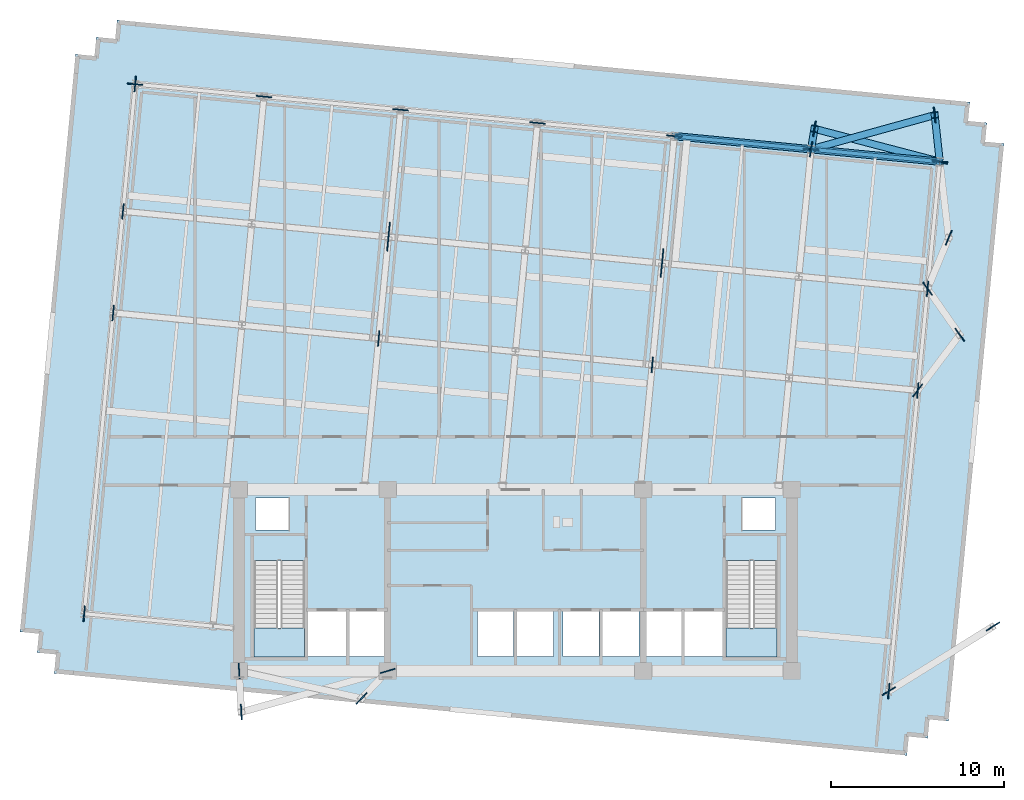
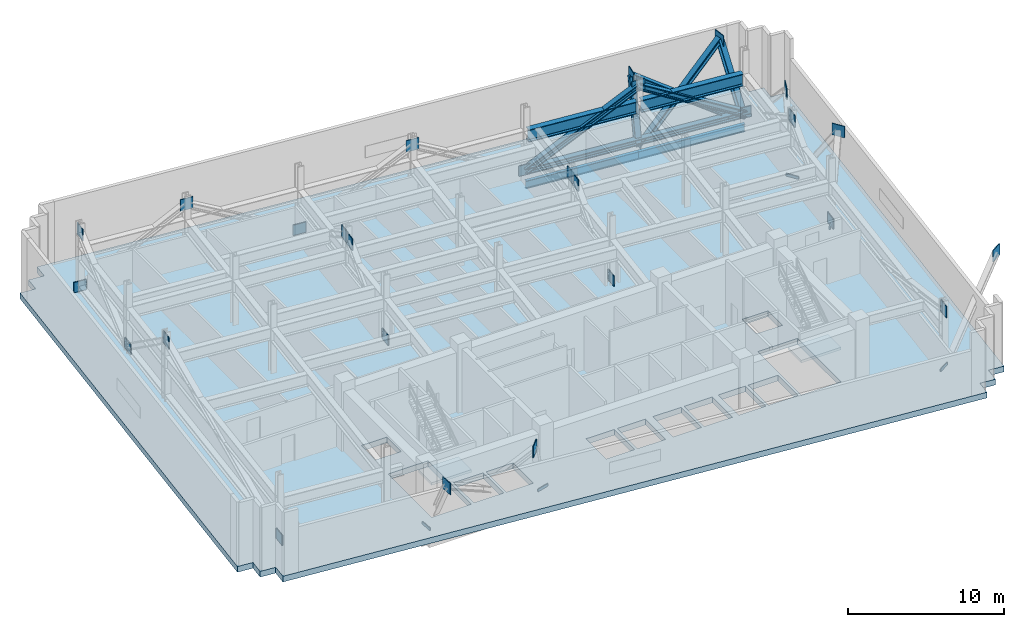
# One storey, part 4 of 10: 34 plates, 8 members, 4 beams, 3 slabs, 2 elements without a shape of their own.
"""IFC4 building model written with IfcOpenShell, lengths in metres."""

from ifc_helpers import new_model, si_unit, direction, frame, origin, origin_2d, place, context, subcontext, project, spatial, polyline, rectangle, i_section, outline, extrude, material, layer, layer_set, material_profile, profile_set, type_object, element, aggregate, save


model = new_model("IFC4")

# Units and contexts
model_context = context("Model", 3, precision=1e-05, world=origin(), true_north=direction((0.0, 1.0)))
body_context = subcontext(model_context, "Body", "Model", "MODEL_VIEW")
ifc_project = project(units=[si_unit("LENGTHUNIT", "METRE"), si_unit("AREAUNIT", "SQUARE_METRE"), si_unit("VOLUMEUNIT", "CUBIC_METRE"), si_unit("PLANEANGLEUNIT", "RADIAN"), si_unit("MASSUNIT", "GRAM", prefix="KILO")], contexts=[model_context])

# Site, building, storey
site_placement = place(None, origin())
site = spatial("IfcSite", under=ifc_project, at=site_placement, CompositionType="ELEMENT")
building_placement = place(site_placement, origin())
building = spatial("IfcBuilding", under=site, at=building_placement, Name="Solmavex Isthmus Hotel", CompositionType="ELEMENT")
storey_placement = place(building_placement, frame((0.0, 0.0, 186.300048828125)))
storey = spatial("IfcBuildingStorey", under=building, at=storey_placement, Name="L50", CompositionType="ELEMENT", Elevation=186.300048828125)

# Beams
ifc_material_1 = material(Name="Steel ASTM A992 Grade 50", Category="steel")
ifc_material_profile_1 = material_profile(ifc_material_1, i_section(OverallWidth=0.230224609375, OverallDepth=0.617431640625, WebThickness=0.01318359375, FlangeThickness=0.022216796875, FilletRadius=0.01513671875, at=origin_2d()), Name="W24X94")
ifc_profile_set_1 = profile_set([ifc_material_profile_1], Name="Steel ASTM A992 Grade 50")
beam_type_1 = type_object("IfcBeamType", Name="BM-SP-W24X94", PredefinedType="SPANDREL", material=ifc_profile_set_1)
beam_1_placement = place(storey_placement, frame((9.1953125, 17.966552734375, -0.7587890625), z_axis=(0.995397440011, -0.095832856685, 0.0), x_axis=(0.095832856685, 0.995397440011, 0.0)))
element("IfcBeam", 1, at=beam_1_placement, inside=storey, type_object=beam_type_1, Name="Floor Girder L50-UG19", PredefinedType="SPANDREL", context=body_context, shape_type="SweptSolid", body=[
    extrude(i_section(OverallWidth=0.230224609375, OverallDepth=0.617431640625, WebThickness=0.01318359375, FlangeThickness=0.022216796875, FilletRadius=0.01513671875, at=origin_2d()), origin(), (0.0, 0.0, 1.0), 7.9560546875),
])
beam_2_placement = place(storey_placement, frame((17.11474609375, 17.2041015625, -0.7587890625), z_axis=(0.995395279593, -0.095855293875, 0.0), x_axis=(0.095855293875, 0.995395279593, 0.0)))
element("IfcBeam", 2, at=beam_2_placement, inside=storey, type_object=beam_type_1, Name="Floor Girder L50-UG20", PredefinedType="SPANDREL", context=body_context, shape_type="SweptSolid", body=[
    extrude(i_section(OverallWidth=0.230224609375, OverallDepth=0.617431640625, WebThickness=0.01318359375, FlangeThickness=0.022216796875, FilletRadius=0.01513671875, at=origin_2d()), origin(), (0.0, 0.0, 1.0), 7.488037109375),
])
ifc_material_2 = material(Name="Steel ASTM A913 Grade 65", Category="steel")
ifc_material_profile_2 = material_profile(ifc_material_2, i_section(OverallWidth=0.423095703125, OverallDepth=0.93896484375, WebThickness=0.02392578125, FlangeThickness=0.042724609375, FilletRadius=0.024169921875, at=origin_2d()), Name="W36X302")
ifc_profile_set_2 = profile_set([ifc_material_profile_2], Name="Steel ASTM A913 Grade 65")
beam_type_2 = type_object("IfcBeamType", Name="BM-TB-W36X302", PredefinedType="BEAM", material=ifc_profile_set_2)
beam_3_placement = place(storey_placement, frame((9.349609375, 17.95166015625, 3.100341796875), z_axis=(0.995395329488, -0.095854775747, 0.0), x_axis=(0.095854775747, 0.995395329488, 0.0)))
element("IfcBeam", 3, at=beam_3_placement, inside=storey, type_object=beam_type_2, Name="Horizontal Outrigger Collector Girder L50-XLC40", PredefinedType="BEAM", context=body_context, shape_type="SweptSolid", body=[
    extrude(i_section(OverallWidth=0.423095703125, OverallDepth=0.93896484375, WebThickness=0.02392578125, FlangeThickness=0.042724609375, FilletRadius=0.024169921875, at=origin_2d()), origin(), (0.0, 0.0, 1.0), 7.64599609375),
])
beam_4_placement = place(storey_placement, frame((17.26904296875, 17.189208984375, 3.100341796875), z_axis=(0.995396183066, -0.095845911429, 0.0), x_axis=(0.095845911429, 0.995396183066, 0.0)))
element("IfcBeam", 4, at=beam_4_placement, inside=storey, type_object=beam_type_2, Name="Horizontal Outrigger Collector Girder L50-XLC41", PredefinedType="BEAM", context=body_context, shape_type="SweptSolid", body=[
    extrude(i_section(OverallWidth=0.423095703125, OverallDepth=0.93896484375, WebThickness=0.02392578125, FlangeThickness=0.042724609375, FilletRadius=0.024169921875, at=origin_2d()), origin(), (0.0, 0.0, 1.0), 7.177978515625),
])

# Members
ifc_material_profile_3 = material_profile(ifc_material_2, i_section(OverallWidth=0.412109375, OverallDepth=0.434814453125, WebThickness=0.035888671875, FlangeThickness=0.057373046875, FilletRadius=0.030517578125, at=origin_2d()), Name="W14X311")
ifc_profile_set_3 = profile_set([ifc_material_profile_3], Name="Steel ASTM A913 Grade 65")
member_type_1 = type_object("IfcMemberType", Name="MEM-TC-W14X311", PredefinedType="CHORD", material=ifc_profile_set_3)
member_1_placement = place(storey_placement, frame((9.1953125, 17.966552734375, 0.349853515625), z_axis=(0.995397440011, -0.095832856685, 0.0), x_axis=(0.095832856685, 0.995397440011, 0.0)))
element("IfcMember", 5, at=member_1_placement, inside=storey, type_object=member_type_1, Name="Outrigger and Belt Transfer Truss Bottom Chord BT-L50-N-05", PredefinedType="CHORD", context=body_context, shape_type="SweptSolid", body=[
    extrude(i_section(OverallWidth=0.412109375, OverallDepth=0.434814453125, WebThickness=0.035888671875, FlangeThickness=0.057373046875, FilletRadius=0.030517578125, at=origin_2d()), origin(), (0.0, 0.0, 1.0), 7.9560546875),
])
member_2_placement = place(storey_placement, frame((17.11474609375, 17.2041015625, 0.349853515625), z_axis=(0.995395279593, -0.095855293875, 0.0), x_axis=(0.095855293875, 0.995395279593, 0.0)))
element("IfcMember", 6, at=member_2_placement, inside=storey, type_object=member_type_1, Name="Outrigger and Belt Transfer Truss Bottom Chord BT-L50-N-06", PredefinedType="CHORD", context=body_context, shape_type="SweptSolid", body=[
    extrude(i_section(OverallWidth=0.412109375, OverallDepth=0.434814453125, WebThickness=0.035888671875, FlangeThickness=0.057373046875, FilletRadius=0.030517578125, at=origin_2d()), origin(), (0.0, 0.0, 1.0), 7.488037109375),
])
ifc_material_profile_4 = material_profile(ifc_material_2, i_section(OverallWidth=0.40625, OverallDepth=0.416015625, WebThickness=0.02978515625, FlangeThickness=0.048095703125, FilletRadius=0.030517578125, at=origin_2d()), Name="W14X257")
ifc_profile_set_4 = profile_set([ifc_material_profile_4], Name="Steel ASTM A913 Grade 65")
member_type_2 = type_object("IfcMemberType", Name="MEM-TM-W14X257", PredefinedType="BRACE", material=ifc_profile_set_4)
member_3_placement = place(storey_placement, frame((17.11474609375, 17.2041015625, -0.25), z_axis=(0.038616033562, 0.235083572737, 0.971207761389), x_axis=(-0.986775517275, 0.162092808313, 0.0)))
element("IfcMember", 7, at=member_3_placement, inside=storey, type_object=member_type_2, Name="Perimeter Facade Transfer Bracket L50-FBR05", PredefinedType="BRACE", context=body_context, shape_type="SweptSolid", body=[
    extrude(i_section(OverallWidth=0.40625, OverallDepth=0.416015625, WebThickness=0.02978515625, FlangeThickness=0.048095703125, FilletRadius=0.030517578125, at=origin_2d()), origin(), (0.0, 0.0, 1.0), 5.045166015625),
])
member_4_placement = place(storey_placement, frame((24.568359375, 16.486328125, -0.25), z_axis=(-0.809921135244, 0.212423147203, 0.546721282939), x_axis=(-0.253695722185, -0.967284074378, 0.0)))
element("IfcMember", 8, at=member_4_placement, inside=storey, type_object=member_type_2, Name="Perimeter Facade Transfer Bracket L50-FBR06", PredefinedType="BRACE", context=body_context, shape_type="SweptSolid", body=[
    extrude(i_section(OverallWidth=0.40625, OverallDepth=0.416015625, WebThickness=0.02978515625, FlangeThickness=0.048095703125, FilletRadius=0.030517578125, at=origin_2d()), origin(), (0.0, 0.0, 1.0), 8.96240234375),
])
member_5_placement = place(storey_placement, frame((24.568359375, 16.486328125, -0.25), z_axis=(-0.052830143102, 0.481530190471, 0.87483578553), x_axis=(-0.994035317715, -0.109058640814, 0.0)))
element("IfcMember", 9, at=member_5_placement, inside=storey, type_object=member_type_2, Name="Perimeter Facade Transfer Bracket L50-FBR12", PredefinedType="BRACE", context=body_context, shape_type="SweptSolid", body=[
    extrude(i_section(OverallWidth=0.40625, OverallDepth=0.416015625, WebThickness=0.02978515625, FlangeThickness=0.048095703125, FilletRadius=0.030517578125, at=origin_2d()), origin(), (0.0, 0.0, 1.0), 5.600830078125),
])
member_6_placement = place(storey_placement, frame((17.11474609375, 17.2041015625, -0.25), z_axis=(0.804494889138, 0.222458560142, 0.550726939935), x_axis=(-0.266517829207, 0.963829988491, 0.0)))
element("IfcMember", 10, at=member_6_placement, inside=storey, type_object=member_type_2, Name="Perimeter Facade Transfer Bracket L50-FBR13", PredefinedType="BRACE", context=body_context, shape_type="SweptSolid", body=[
    extrude(i_section(OverallWidth=0.40625, OverallDepth=0.416015625, WebThickness=0.02978515625, FlangeThickness=0.048095703125, FilletRadius=0.030517578125, at=origin_2d()), origin(), (0.0, 0.0, 1.0), 8.897216796875),
])
ifc_material_profile_5 = material_profile(ifc_material_2, i_section(OverallWidth=0.41845703125, OverallDepth=0.455078125, WebThickness=0.0419921875, FlangeThickness=0.067626953125, FilletRadius=0.030517578125, at=origin_2d()), Name="W14X370")
ifc_profile_set_5 = profile_set([ifc_material_profile_5], Name="Steel ASTM A913 Grade 65")
member_type_3 = type_object("IfcMemberType", Name="MEM-TM-W14X370", PredefinedType="BRACE", material=ifc_profile_set_5)
member_7_placement = place(storey_placement, frame((9.1953125, 17.966552734375, 0.349853515625), z_axis=(0.875681538947, -0.084307091872, 0.475472561362), x_axis=(0.095832856685, 0.995397440011, 0.0)))
element("IfcMember", 11, at=member_7_placement, inside=storey, type_object=member_type_3, Name="Outrigger and Belt Transfer Truss Diagonal Brace BT-L50-N-05", PredefinedType="BRACE", context=body_context, shape_type="SweptSolid", body=[
    extrude(i_section(OverallWidth=0.41845703125, OverallDepth=0.455078125, WebThickness=0.0419921875, FlangeThickness=0.067626953125, FilletRadius=0.030517578125, at=origin_2d()), origin(), (0.0, 0.0, 1.0), 9.043701171875),
])
member_8_placement = place(storey_placement, frame((17.11474609375, 17.2041015625, 4.64990234375), z_axis=(0.863193518277, -0.083124433139, -0.497983211183), x_axis=(0.095855293875, 0.995395279593, 0.0)))
element("IfcMember", 12, at=member_8_placement, inside=storey, type_object=member_type_3, Name="Outrigger and Belt Transfer Truss Diagonal Brace BT-L50-N-06", PredefinedType="BRACE", context=body_context, shape_type="SweptSolid", body=[
    extrude(i_section(OverallWidth=0.41845703125, OverallDepth=0.455078125, WebThickness=0.0419921875, FlangeThickness=0.067626953125, FilletRadius=0.030517578125, at=origin_2d()), origin(), (0.0, 0.0, 1.0), 8.635009765625),
])

# Plates
ifc_material_3 = material(Name="Steel ASTM A572 Grade 50", Category="steel")
ifc_layer_1 = layer(ifc_material_3, 0.06005859375)
ifc_layer_set_1 = layer_set([ifc_layer_1], Name="Steel ASTM A572 Grade 50")
plate_type = type_object("IfcPlateType", Name="PLT-GUSSET-60", PredefinedType="USERDEFINED", material=ifc_layer_set_1)
for number, where, z_axis, x_axis, name in (
    (13, (-16.0, -13.0, -0.699951171875), (0.0, 0.0, 1.0), (0.053416546541, -0.998572317139, 0.0), "Perimeter Bracket Gusset Plate L50 001"),
    (14, (-15.87255859375, -15.38330078125, 4.199951171875), (0.0, 0.0, 1.0), (0.053416546541, -0.998572317139, 0.0), "Perimeter Bracket Gusset Plate L50 002"),
    (15, (-7.39990234375, -13.0, -0.699951171875), (0.0, 0.0, 1.0), (-0.962635050888, -0.270802065727, 0.0), "Perimeter Bracket Gusset Plate L50 003"),
    (16, (-8.909423828125, -14.590087890625, 4.199951171875), (0.0, 0.0, 1.0), (-0.688506482648, -0.725230186459, 0.0), "Perimeter Bracket Gusset Plate L50 004"),
    (17, (17.11474609375, 17.2041015625, -0.699951171875), (0.0, 0.0, 1.0), (0.162051625368, 0.986782281314, 0.0), "Perimeter Bracket Gusset Plate L50 005"),
    (18, (17.3095703125, 18.39013671875, 4.199951171875), (0.0, 0.0, 1.0), (0.162051625368, 0.986782281314, 0.0), "Perimeter Bracket Gusset Plate L50 006"),
    (19, (24.568359375, 16.486328125, -0.699951171875), (0.0, 0.0, 1.0), (-0.967285466065, 0.253690415938, 0.0), "Perimeter Bracket Gusset Plate L50 007"),
    (20, (21.6162109375, -14.171875, -0.699951171875), (0.0, 0.0, 1.0), (0.849368037025, 0.527801039862, 0.0), "Perimeter Bracket Gusset Plate L50 008"),
    (21, (27.64599609375, -10.425048828125, 4.199951171875), (0.0, 0.0, 1.0), (0.849368037025, 0.527801039862, 0.0), "Perimeter Bracket Gusset Plate L50 009"),
    (22, (23.85986328125, 9.12841796875, -0.699951171875), (0.0, 0.0, 1.0), (0.573004420611, -0.819552276527, 0.0), "Perimeter Bracket Gusset Plate L50 010"),
    (23, (25.721435546875, 6.465576171875, 4.199951171875), (0.0, 0.0, 1.0), (0.573004420611, -0.819552276527, 0.0), "Perimeter Bracket Gusset Plate L50 011"),
    (24, (23.29345703125, 3.24755859375, -0.699951171875), (0.0, 0.0, 1.0), (0.60227490434, 0.798288757031, 0.0), "Perimeter Bracket Gusset Plate L50 012"),
    (25, (25.08203125, 12.077392578125, 4.199951171875), (0.0, 0.0, 1.0), (0.382893044129, 0.923792680615, 0.0), "Perimeter Bracket Gusset Plate L50 013"),
    (26, (24.2724609375, 19.183349609375, 4.199951171875), (0.0, 0.0, 1.0), (-0.109023019513, 0.99403922519, 0.0), "Perimeter Bracket Gusset Plate L50 014"),
    (27, (-22.016357421875, 20.971923828125, -0.10009765625), (0.0, 0.0, 1.0), (0.995396198367, -0.09584575252, 0.0), "Outrigger and Belt Transfer Truss Node Gusset Plate L50 001"),
    (28, (-14.562744140625, 20.254150390625, 4.199951171875), (0.0, 0.0, 1.0), (0.995396198367, -0.09584575252, 0.0), "Outrigger and Belt Transfer Truss Node Gusset Plate L50 002"),
    (29, (-6.643310546875, 19.49169921875, -0.10009765625), (0.0, 0.0, 1.0), (0.995396198367, -0.09584575252, 0.0), "Outrigger and Belt Transfer Truss Node Gusset Plate L50 003"),
    (30, (1.276123046875, 18.72900390625, 4.199951171875), (0.0, 0.0, 1.0), (0.995396198367, -0.09584575252, 0.0), "Outrigger and Belt Transfer Truss Node Gusset Plate L50 004"),
    (31, (9.1953125, 17.966552734375, -0.10009765625), (0.0, 0.0, 1.0), (0.995396198367, -0.09584575252, 0.0), "Outrigger and Belt Transfer Truss Node Gusset Plate L50 005"),
    (32, (17.11474609375, 17.2041015625, 4.199951171875), (0.0, 0.0, 1.0), (0.995396198367, -0.09584575252, 0.0), "Outrigger and Belt Transfer Truss Node Gusset Plate L50 006"),
    (33, (24.568359375, 16.486328125, -0.10009765625), (0.0, 0.0, 1.0), (0.995396198367, -0.09584575252, 0.0), "Outrigger and Belt Transfer Truss Node Gusset Plate L50 007"),
    (34, (-24.96826171875, -9.686279296875, -0.10009765625), (0.0, 0.0, 1.0), (0.09584575252, 0.995396198367, 0.0), "Outrigger and Belt Transfer Truss Node Gusset Plate L50 008"),
    (35, (-23.291015625, 7.733154296875, 4.199951171875), (0.0, 0.0, 1.0), (0.09584575252, 0.995396198367, 0.0), "Outrigger and Belt Transfer Truss Node Gusset Plate L50 009"),
    (36, (-22.724853515625, 13.614013671875, -0.10009765625), (0.0, 0.0, 1.0), (0.09584575252, 0.995396198367, 0.0), "Outrigger and Belt Transfer Truss Node Gusset Plate L50 010"),
    (37, (-22.016357421875, 20.971923828125, 4.199951171875), (0.0, 0.0, 1.0), (0.09584575252, 0.995396198367, 0.0), "Outrigger and Belt Transfer Truss Node Gusset Plate L50 011"),
    (38, (21.6162109375, -14.171875, 4.199951171875), (0.0, 0.0, 1.0), (0.09584575252, 0.995396198367, 0.0), "Outrigger and Belt Transfer Truss Node Gusset Plate L50 012"),
    (39, (23.29345703125, 3.24755859375, -0.10009765625), (0.0, 0.0, 1.0), (0.09584575252, 0.995396198367, 0.0), "Outrigger and Belt Transfer Truss Node Gusset Plate L50 013"),
    (40, (23.85986328125, 9.12841796875, 4.199951171875), (0.0, 0.0, 1.0), (0.09584575252, 0.995396198367, 0.0), "Outrigger and Belt Transfer Truss Node Gusset Plate L50 014"),
    (41, (-7.918212890625, 6.2529296875, -0.10009765625), (0.0, 0.0, 1.0), (0.09584575252, 0.995396198367, 0.0), "Outrigger and Belt Transfer Truss Node Gusset Plate L50 015"),
    (42, (-7.387451171875, 11.763427734375, 3.92919921875), (0.0, 0.0, 1.0), (0.09584575252, 0.995396198367, 0.0), "Outrigger and Belt Transfer Truss Node Gusset Plate L50 016"),
    (43, (-7.313720703125, 12.529541015625, 3.96875), (0.0, 0.0, 1.0), (0.09584575252, 0.995396198367, 0.0), "Outrigger and Belt Transfer Truss Node Gusset Plate L50 017"),
    (44, (7.920654296875, 4.727783203125, -0.10009765625), (0.0, 0.0, 1.0), (0.09584575252, 0.995396198367, 0.0), "Outrigger and Belt Transfer Truss Node Gusset Plate L50 018"),
    (45, (8.451171875, 10.23828125, 3.92919921875), (0.0, 0.0, 1.0), (0.09584575252, 0.995396198367, 0.0), "Outrigger and Belt Transfer Truss Node Gusset Plate L50 019"),
    (46, (8.52490234375, 11.00439453125, 3.96875), (0.0, 0.0, 1.0), (0.09584575252, 0.995396198367, 0.0), "Outrigger and Belt Transfer Truss Node Gusset Plate L50 020"),
):
    element("IfcPlate", number, at=place(storey_placement, frame(where, z_axis=z_axis, x_axis=x_axis)), inside=storey, type_object=plate_type, Name=name, ObjectType="GUSSET_PLATE", PredefinedType="USERDEFINED", context=body_context, shape_type="SweptSolid", body=[
        extrude(rectangle(XDim=0.89990234375, YDim=0.06005859375, at=origin_2d()), origin(), (0.0, 0.0, 1.0), 0.89990234375),
    ])

# Slab
ifc_material_4 = material(Name="Concrete C50/60", Category="concrete")
ifc_layer_2 = layer(ifc_material_4, 0.449951171875)
ifc_layer_set_2 = layer_set([ifc_layer_2], Name="Concrete C50/60")
slab_type_1 = type_object("IfcSlabType", Name="SLAB-XFER-360", PredefinedType="FLOOR", material=ifc_layer_set_2)
slab_1_placement = place(storey_placement, frame((0.0, 0.0, -0.449951171875)))
element("IfcSlab", 47, at=slab_1_placement, inside=storey, type_object=slab_type_1, Name="Tower Structural Floor Slab L50", PredefinedType="FLOOR", context=body_context, shape_type="SweptSolid", body=[
    extrude(outline(polyline([(-25.612060546875, -13.240966796875), (21.56982421875, -17.7841796875), (22.664794921875, -17.889404296875), (22.770263671875, -16.794677734375), (23.865234375, -16.89990234375), (23.970458984375, -15.80517578125), (25.0654296875, -15.910400390625), (25.1708984375, -14.815673828125), (28.180419921875, 16.43994140625), (28.285888671875, 17.534912109375), (27.19091796875, 17.64013671875), (27.29638671875, 18.735107421875), (26.201416015625, 18.840576171875), (26.306884765625, 19.935546875), (25.2119140625, 20.041015625), (-21.9697265625, 24.583984375), (-23.064697265625, 24.689453125), (-23.170166015625, 23.594482421875), (-24.26513671875, 23.699951171875), (-24.37060546875, 22.60498046875), (-25.465576171875, 22.71044921875), (-25.57080078125, 21.615478515625), (-28.58056640625, -9.639892578125), (-28.685791015625, -10.73486328125), (-27.591064453125, -10.84033203125), (-27.6962890625, -11.935302734375), (-26.6015625, -12.04052734375), (-26.706787109375, -13.135498046875), (-25.612060546875, -13.240966796875)]), holes=[polyline([(-15.14990234375, -6.617919921875), (-15.14990234375, -12.199951171875), (-12.199951171875, -12.199951171875), (-12.199951171875, -6.617919921875), (-15.14990234375, -6.617919921875)]), polyline([(12.199951171875, -6.617919921875), (12.199951171875, -12.199951171875), (15.14990234375, -12.199951171875), (15.14990234375, -6.617919921875), (12.199951171875, -6.617919921875)]), polyline([(-12.0, -12.14990234375), (-9.800048828125, -12.14990234375), (-9.800048828125, -9.550048828125), (-12.0, -9.550048828125), (-12.0, -12.14990234375)]), polyline([(9.800048828125, -12.14990234375), (12.0, -12.14990234375), (12.0, -9.550048828125), (9.800048828125, -9.550048828125), (9.800048828125, -12.14990234375)]), polyline([(-9.60009765625, -12.14990234375), (-7.60009765625, -12.14990234375), (-7.60009765625, -9.550048828125), (-9.60009765625, -9.550048828125), (-9.60009765625, -12.14990234375)]), polyline([(7.60009765625, -12.14990234375), (9.60009765625, -12.14990234375), (9.60009765625, -9.550048828125), (7.60009765625, -9.550048828125), (7.60009765625, -12.14990234375)]), polyline([(-2.199951171875, -12.14990234375), (-0.10009765625, -12.14990234375), (-0.10009765625, -9.550048828125), (-2.199951171875, -9.550048828125), (-2.199951171875, -12.14990234375)]), polyline([(0.10009765625, -12.14990234375), (2.199951171875, -12.14990234375), (2.199951171875, -9.550048828125), (0.10009765625, -9.550048828125), (0.10009765625, -12.14990234375)]), polyline([(2.75, -12.14990234375), (4.85009765625, -12.14990234375), (4.85009765625, -9.550048828125), (2.75, -9.550048828125), (2.75, -12.14990234375)]), polyline([(5.050048828125, -12.14990234375), (7.14990234375, -12.14990234375), (7.14990234375, -9.550048828125), (5.050048828125, -9.550048828125), (5.050048828125, -12.14990234375)]), polyline([(-15.050048828125, -4.85009765625), (-13.14990234375, -4.85009765625), (-13.14990234375, -3.0), (-15.050048828125, -3.0), (-15.050048828125, -4.85009765625)]), polyline([(13.14990234375, -4.85009765625), (15.050048828125, -4.85009765625), (15.050048828125, -3.0), (13.14990234375, -3.0), (13.14990234375, -4.85009765625)])]), origin(), (0.0, 0.0, 1.0), 0.449951171875),
])

# Stair, slab
ifc_material_5 = material(Name="Concrete C40/50", Category="concrete")
stair_type_1 = type_object("IfcStairType", Name="STR-ST-1", PredefinedType="HALF_TURN_STAIR", material=ifc_material_5)
stair_1_placement = place(storey_placement, origin())
stair_1 = element("IfcStair", 48, at=stair_1_placement, inside=storey, type_object=stair_type_1, Name="L50 Protected Exit Stair ST-1", PredefinedType="HALF_TURN_STAIR")
ifc_layer_3 = layer(ifc_material_5, 0.219970703125)
ifc_layer_set_3 = layer_set([ifc_layer_3], Name="Concrete C40/50")
slab_type_2 = type_object("IfcSlabType", Name="SLD-ST-1", PredefinedType="LANDING", material=ifc_layer_set_3)
slab_2_placement = place(storey_placement, frame((0.0, 0.0, 2.5)))
slab_2 = element("IfcSlab", 49, at=slab_2_placement, type_object=slab_type_2, Name="ST-1 landing 1", PredefinedType="LANDING", context=body_context, shape_type="SweptSolid", body=[
    extrude(outline(polyline([(-15.14990234375, -10.52001953125), (-15.14990234375, -12.199951171875), (-12.199951171875, -12.199951171875), (-12.199951171875, -10.52001953125), (-15.14990234375, -10.52001953125)])), origin(), (0.0, 0.0, 1.0), 0.199951171875),
])
aggregate(stair_1, [slab_2])

stair_type_2 = type_object("IfcStairType", Name="STR-ST-2", PredefinedType="HALF_TURN_STAIR", material=ifc_material_5)
stair_2_placement = place(storey_placement, origin())
stair_2 = element("IfcStair", 50, at=stair_2_placement, inside=storey, type_object=stair_type_2, Name="L50 Protected Exit Stair ST-2", PredefinedType="HALF_TURN_STAIR")
ifc_layer_4 = layer(ifc_material_5, 0.219970703125)
ifc_layer_set_4 = layer_set([ifc_layer_4], Name="Concrete C40/50")
slab_type_3 = type_object("IfcSlabType", Name="SLD-ST-2", PredefinedType="LANDING", material=ifc_layer_set_4)
slab_3_placement = place(storey_placement, frame((0.0, 0.0, 2.5)))
slab_3 = element("IfcSlab", 51, at=slab_3_placement, type_object=slab_type_3, Name="ST-2 landing 1", PredefinedType="LANDING", context=body_context, shape_type="SweptSolid", body=[
    extrude(outline(polyline([(12.199951171875, -10.52001953125), (12.199951171875, -12.199951171875), (15.14990234375, -12.199951171875), (15.14990234375, -10.52001953125), (12.199951171875, -10.52001953125)])), origin(), (0.0, 0.0, 1.0), 0.199951171875),
])
aggregate(stair_2, [slab_3])

save(model, "model.ifc")
